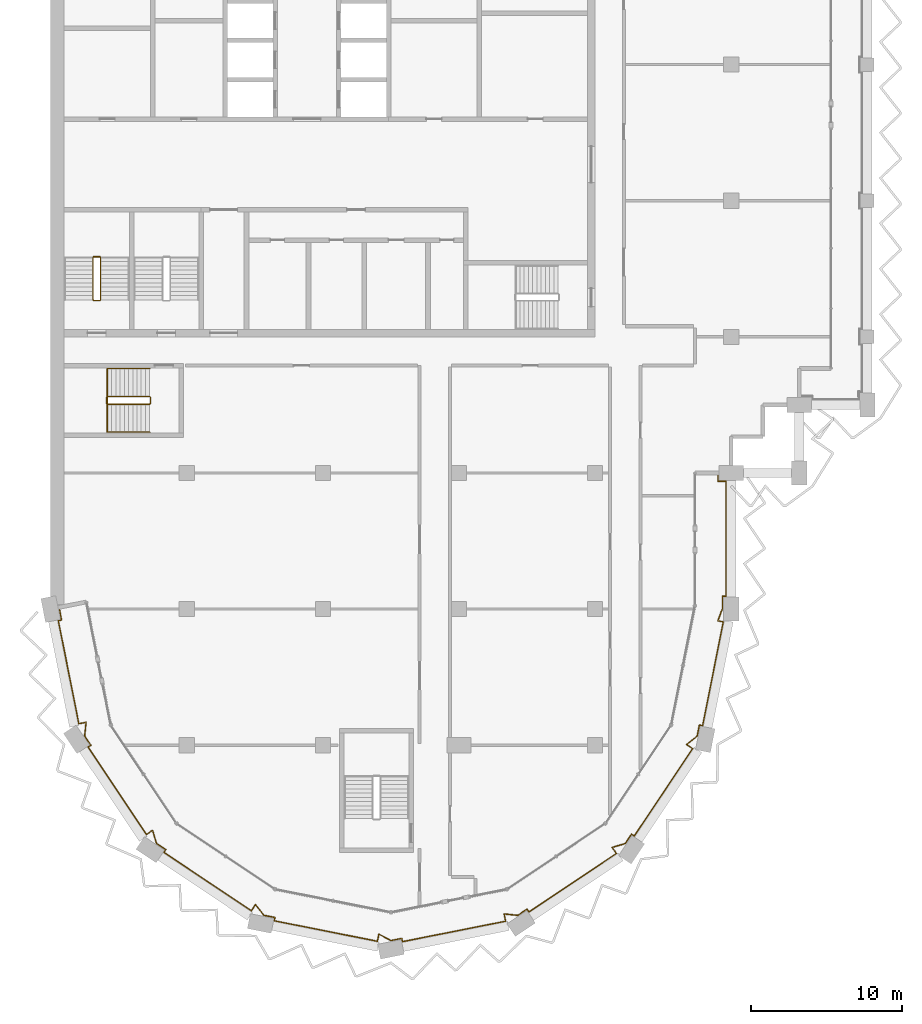
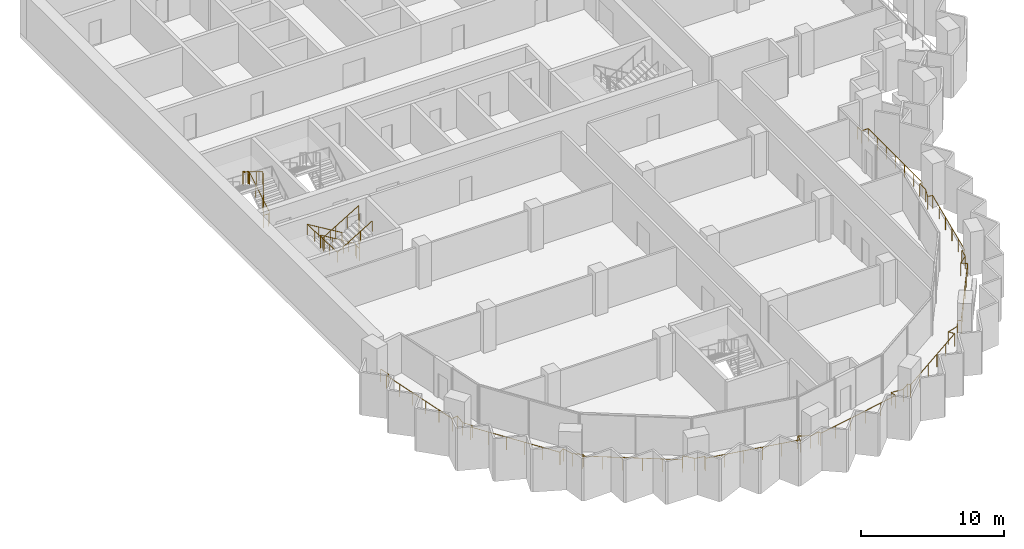
# One storey, part 14 of 16: 4 railings.
"""IFC4 building model written with IfcOpenShell, lengths in metres."""

from ifc_helpers import new_model, si_unit, direction, frame, origin, origin_2d, place, context, subcontext, project, spatial, circle, extrude, material, type_object, element, save


model = new_model("IFC4")

# Units and contexts
model_context = context("Model", 3, precision=1e-05, world=origin(), true_north=direction((0.0, 1.0)))
body_context = subcontext(model_context, "Body", "Model", "MODEL_VIEW")
ifc_project = project(units=[si_unit("LENGTHUNIT", "METRE"), si_unit("AREAUNIT", "SQUARE_METRE"), si_unit("VOLUMEUNIT", "CUBIC_METRE"), si_unit("PLANEANGLEUNIT", "RADIAN"), si_unit("MASSUNIT", "GRAM", prefix="KILO")], contexts=[model_context])

# Site, building, storey
site_placement = place(None, origin())
site = spatial("IfcSite", under=ifc_project, at=site_placement, CompositionType="ELEMENT")
building_placement = place(site_placement, origin())
building = spatial("IfcBuilding", under=site, at=building_placement, Name="Hunhe Ridgeline Campus", CompositionType="ELEMENT")
storey_placement = place(building_placement, frame((0.0, 0.0, 239.199951171875)))
storey = spatial("IfcBuildingStorey", under=building, at=storey_placement, Name="L61", CompositionType="ELEMENT", Elevation=239.199951171875)

# Railings
ifc_material_1 = material(Name="Steel Q355", Category="steel")
railing_type_1 = type_object("IfcRailingType", Name="Loggia guard 1100 Steel Q355", PredefinedType="GUARDRAIL", material=ifc_material_1)
railing_1_placement = place(storey_placement, frame((0.55908203125, 45.111083984375, 0.0)))
element("IfcRailing", 1, at=railing_1_placement, inside=storey, type_object=railing_type_1, Name="Loggia guard 1", PredefinedType="GUARDRAIL", context=body_context, shape_type="SweptSolid", body=[
    extrude(circle(Radius=0.02392578125, at=origin_2d()), frame((0.0, 0.0, 1.076171875), z_axis=(0.195066328581, -0.980790052689, 0.0), x_axis=(0.980790052689, 0.195066328581, 0.0)), (0.0, 0.0, 1.0), 0.849853515625),
    extrude(circle(Radius=0.02392578125, at=origin_2d()), frame((0.165771484375, -0.83349609375, 1.076171875), z_axis=(-0.980750988442, -0.195262640233, 0.0), x_axis=(0.195262640233, -0.980750988442, 0.0)), (0.0, 0.0, 1.0), 0.219970703125),
    extrude(circle(Radius=0.02392578125, at=origin_2d()), frame((-0.050048828125, -0.87646484375, 1.076171875), z_axis=(0.1951025318, -0.980782851647, 0.0), x_axis=(0.980782851647, 0.1951025318, 0.0)), (0.0, 0.0, 1.0), 6.94873046875),
    extrude(circle(Radius=0.02392578125, at=origin_2d()), frame((1.3056640625, -7.691650390625, 1.076171875), z_axis=(0.980791706313, 0.195058014004, 0.0), x_axis=(-0.195058014004, 0.980791706313, 0.0)), (0.0, 0.0, 1.0), 0.488037109375),
    extrude(circle(Radius=0.02392578125, at=origin_2d()), frame((1.784423828125, -7.596435546875, 1.076171875), z_axis=(-0.103312201106, -0.994648977832, 0.0), x_axis=(0.994648977832, -0.103312201106, 0.0)), (0.0, 0.0, 1.0), 0.907470703125),
    extrude(circle(Radius=0.02392578125, at=origin_2d()), frame((1.690673828125, -8.4990234375, 1.076171875), z_axis=(0.555464783965, -0.831540061437, 0.0), x_axis=(0.831540061437, 0.555464783965, 0.0)), (0.0, 0.0, 1.0), 0.736572265625),
    extrude(circle(Radius=0.02392578125, at=origin_2d()), frame((2.099853515625, -9.111572265625, 1.076171875), z_axis=(-0.831708467209, -0.555212594933, 0.0), x_axis=(0.555212594933, -0.831708467209, 0.0)), (0.0, 0.0, 1.0), 0.219970703125),
    extrude(circle(Radius=0.02392578125, at=origin_2d()), frame((1.9169921875, -9.233642578125, 1.076171875), z_axis=(0.555559363791, -0.831476874786, 0.0), x_axis=(0.831476874786, 0.555559363791, 0.0)), (0.0, 0.0, 1.0), 6.948486328125),
    extrude(circle(Radius=0.02392578125, at=origin_2d()), frame((5.77734375, -15.01123046875, 1.076171875), z_axis=(0.831588140797, 0.555392801615, 0.0), x_axis=(-0.555392801615, 0.831588140797, 0.0)), (0.0, 0.0, 1.0), 0.488037109375),
    extrude(circle(Radius=0.02392578125, at=origin_2d()), frame((6.18310546875, -14.740234375, 1.076171875), z_axis=(0.285150626135, -0.958482717849, 0.0), x_axis=(0.958482717849, 0.285150626135, 0.0)), (0.0, 0.0, 1.0), 0.907470703125),
    extrude(circle(Radius=0.02392578125, at=origin_2d()), frame((6.44189453125, -15.610107421875, 1.076171875), z_axis=(0.831540061437, -0.555464783965, 0.0), x_axis=(0.555464783965, 0.831540061437, 0.0)), (0.0, 0.0, 1.0), 0.736572265625),
    extrude(circle(Radius=0.02392578125, at=origin_2d()), frame((7.054443359375, -16.019287109375, 1.076171875), z_axis=(-0.555980009223, -0.831195662491, 0.0), x_axis=(0.831195662491, -0.555980009223, 0.0)), (0.0, 0.0, 1.0), 0.219970703125),
    extrude(circle(Radius=0.02392578125, at=origin_2d()), frame((6.93212890625, -16.2021484375, 1.076171875), z_axis=(0.831460644532, -0.555583654003, 0.0), x_axis=(0.555583654003, 0.831460644532, 0.0)), (0.0, 0.0, 1.0), 6.94873046875),
    extrude(circle(Radius=0.02392578125, at=origin_2d()), frame((12.709716796875, -20.062744140625, 1.076171875), z_axis=(0.555507638283, 0.831511433361, 0.0), x_axis=(-0.831511433361, 0.555507638283, 0.0)), (0.0, 0.0, 1.0), 0.48828125),
    extrude(circle(Radius=0.02392578125, at=origin_2d()), frame((12.98095703125, -19.65673828125, 1.076171875), z_axis=(0.630288754525, -0.776360796227, 0.0), x_axis=(0.776360796227, 0.630288754525, 0.0)), (0.0, 0.0, 1.0), 0.907470703125),
    extrude(circle(Radius=0.02392578125, at=origin_2d()), frame((13.552978515625, -20.361328125, 1.076171875), z_axis=(0.980758742397, -0.19522369019, 0.0), x_axis=(0.19522369019, 0.980758742397, 0.0)), (0.0, 0.0, 1.0), 0.736572265625),
    extrude(circle(Radius=0.02392578125, at=origin_2d()), frame((14.275390625, -20.505126953125, 1.076171875), z_axis=(-0.195262640233, -0.980750988442, 0.0), x_axis=(0.980750988442, -0.195262640233, 0.0)), (0.0, 0.0, 1.0), 0.219970703125),
    extrude(circle(Radius=0.02392578125, at=origin_2d()), frame((14.232421875, -20.720947265625, 1.076171875), z_axis=(0.980789574233, -0.195068734234, 0.0), x_axis=(0.195068734234, 0.980789574233, 0.0)), (0.0, 0.0, 1.0), 6.94873046875),
    extrude(circle(Radius=0.02392578125, at=origin_2d()), frame((21.047607421875, -22.076416015625, 1.076171875), z_axis=(0.195153744134, 0.980772662828, 0.0), x_axis=(-0.980772662828, 0.195153744134, 0.0)), (0.0, 0.0, 1.0), 0.48779296875),
    extrude(circle(Radius=0.02392578125, at=origin_2d()), frame((21.142822265625, -21.597900390625, 1.076171875), z_axis=(0.879371752487, -0.476135821934, 0.0), x_axis=(0.476135821934, 0.879371752487, 0.0)), (0.0, 0.0, 1.0), 0.907470703125),
    extrude(circle(Radius=0.02392578125, at=origin_2d()), frame((21.94091796875, -22.030029296875, 1.076171875), z_axis=(0.980758742397, 0.19522369019, 0.0), x_axis=(-0.19522369019, 0.980758742397, 0.0)), (0.0, 0.0, 1.0), 0.736572265625),
    extrude(circle(Radius=0.02392578125, at=origin_2d()), frame((22.663330078125, -21.88623046875, 1.076171875), z_axis=(0.195262640233, -0.980750988442, 0.0), x_axis=(0.980750988442, 0.195262640233, 0.0)), (0.0, 0.0, 1.0), 0.219970703125),
    extrude(circle(Radius=0.02392578125, at=origin_2d()), frame((22.706298828125, -22.10205078125, 1.076171875), z_axis=(0.980782851647, 0.1951025318, 0.0), x_axis=(-0.1951025318, 0.980782851647, 0.0)), (0.0, 0.0, 1.0), 6.94873046875),
    extrude(circle(Radius=0.02392578125, at=origin_2d()), frame((29.521484375, -20.746337890625, 1.076171875), z_axis=(-0.195058014004, 0.980791706313, 0.0), x_axis=(-0.980791706313, -0.195058014004, 0.0)), (0.0, 0.0, 1.0), 0.488037109375),
    extrude(circle(Radius=0.02392578125, at=origin_2d()), frame((29.42626953125, -20.267578125, 1.076171875), z_axis=(0.994648977832, -0.103312201106, 0.0), x_axis=(0.103312201106, 0.994648977832, 0.0)), (0.0, 0.0, 1.0), 0.907470703125),
    extrude(circle(Radius=0.02392578125, at=origin_2d()), frame((30.328857421875, -20.361328125, 1.076171875), z_axis=(0.831540061437, 0.555464783965, 0.0), x_axis=(-0.555464783965, 0.831540061437, 0.0)), (0.0, 0.0, 1.0), 0.736572265625),
    extrude(circle(Radius=0.02392578125, at=origin_2d()), frame((30.94140625, -19.9521484375, 1.076171875), z_axis=(0.555212594933, -0.831708467209, 0.0), x_axis=(0.831708467209, 0.555212594933, 0.0)), (0.0, 0.0, 1.0), 0.219970703125),
    extrude(circle(Radius=0.02392578125, at=origin_2d()), frame((31.0634765625, -20.135009765625, 1.076171875), z_axis=(0.831476874786, 0.555559363791, 0.0), x_axis=(-0.555559363791, 0.831476874786, 0.0)), (0.0, 0.0, 1.0), 6.948486328125),
    extrude(circle(Radius=0.02392578125, at=origin_2d()), frame((36.841064453125, -16.274658203125, 1.076171875), z_axis=(-0.555392801615, 0.831588140797, 0.0), x_axis=(-0.831588140797, -0.555392801615, 0.0)), (0.0, 0.0, 1.0), 0.488037109375),
    extrude(circle(Radius=0.02392578125, at=origin_2d()), frame((36.570068359375, -15.868896484375, 1.076171875), z_axis=(0.958482717849, 0.285150626135, 0.0), x_axis=(-0.285150626135, 0.958482717849, 0.0)), (0.0, 0.0, 1.0), 0.907470703125),
    extrude(circle(Radius=0.02392578125, at=origin_2d()), frame((37.43994140625, -15.610107421875, 1.076171875), z_axis=(0.555464783965, 0.831540061437, 0.0), x_axis=(-0.831540061437, 0.555464783965, 0.0)), (0.0, 0.0, 1.0), 0.736572265625),
    extrude(circle(Radius=0.02392578125, at=origin_2d()), frame((37.84912109375, -14.99755859375, 1.076171875), z_axis=(0.831195662491, -0.555980009223, 0.0), x_axis=(0.555980009223, 0.831195662491, 0.0)), (0.0, 0.0, 1.0), 0.219970703125),
    extrude(circle(Radius=0.02392578125, at=origin_2d()), frame((38.031982421875, -15.119873046875, 1.076171875), z_axis=(0.555583654003, 0.831460644532, 0.0), x_axis=(-0.831460644532, 0.555583654003, 0.0)), (0.0, 0.0, 1.0), 6.94873046875),
    extrude(circle(Radius=0.02392578125, at=origin_2d()), frame((41.892578125, -9.34228515625, 1.076171875), z_axis=(-0.831511433361, 0.555507638283, 0.0), x_axis=(-0.555507638283, -0.831511433361, 0.0)), (0.0, 0.0, 1.0), 0.48828125),
    extrude(circle(Radius=0.02392578125, at=origin_2d()), frame((41.486572265625, -9.071044921875, 1.076171875), z_axis=(0.776360796227, 0.630288754525, 0.0), x_axis=(-0.630288754525, 0.776360796227, 0.0)), (0.0, 0.0, 1.0), 0.907470703125),
    extrude(circle(Radius=0.02392578125, at=origin_2d()), frame((42.191162109375, -8.4990234375, 1.076171875), z_axis=(0.19522369019, 0.980758742397, 0.0), x_axis=(-0.980758742397, 0.19522369019, 0.0)), (0.0, 0.0, 1.0), 0.736572265625),
    extrude(circle(Radius=0.02392578125, at=origin_2d()), frame((42.3349609375, -7.776611328125, 1.076171875), z_axis=(0.980750988442, -0.195262640233, 0.0), x_axis=(0.195262640233, 0.980750988442, 0.0)), (0.0, 0.0, 1.0), 0.219970703125),
    extrude(circle(Radius=0.02392578125, at=origin_2d()), frame((42.55078125, -7.819580078125, 1.076171875), z_axis=(0.195082678264, 0.980786800809, 0.0), x_axis=(-0.980786800809, 0.195082678264, 0.0)), (0.0, 0.0, 1.0), 6.9970703125),
    extrude(circle(Radius=0.02392578125, at=origin_2d()), frame((43.915771484375, -0.95703125, 1.076171875), z_axis=(-0.980759647752, 0.195219141842, 0.0), x_axis=(-0.195219141842, -0.980759647752, 0.0)), (0.0, 0.0, 1.0), 0.366455078125),
    extrude(circle(Radius=0.02392578125, at=origin_2d()), frame((43.556396484375, -0.885498046875, 1.076171875), z_axis=(0.354074070723, 0.935217382453, 0.0), x_axis=(-0.935217382453, 0.354074070723, 0.0)), (0.0, 0.0, 1.0), 0.88818359375),
    extrude(circle(Radius=0.02392578125, at=origin_2d()), frame((43.870849609375, -0.054931640625, 1.076171875), z_axis=(0.0, 1.0, 0.0), x_axis=(-1.0, 0.0, 0.0)), (0.0, 0.0, 1.0), 0.7939453125),
    extrude(circle(Radius=0.02392578125, at=origin_2d()), frame((43.870849609375, 0.739013671875, 1.076171875), z_axis=(1.0, 0.0, 0.0), x_axis=(0.0, 1.0, 0.0)), (0.0, 0.0, 1.0), 0.219970703125),
    extrude(circle(Radius=0.02392578125, at=origin_2d()), frame((44.0908203125, 0.739013671875, 1.076171875), z_axis=(0.0, 1.0, 0.0), x_axis=(-1.0, 0.0, 0.0)), (0.0, 0.0, 1.0), 7.599853515625),
    extrude(circle(Radius=0.02392578125, at=origin_2d()), frame((44.0908203125, 8.3388671875, 1.076171875), z_axis=(-1.0, 0.0, 0.0), x_axis=(0.0, -1.0, 0.0)), (0.0, 0.0, 1.0), 0.52001953125),
    extrude(circle(Radius=0.02392578125, at=origin_2d()), frame((43.57080078125, 8.3388671875, 1.076171875), z_axis=(0.0, 1.0, 0.0), x_axis=(-1.0, 0.0, 0.0)), (0.0, 0.0, 1.0), 0.550048828125),
    extrude(circle(Radius=0.02099609375, at=origin_2d()), origin(), (0.0, 0.0, 1.0), 1.052001953125),
    extrude(circle(Radius=0.02099609375, at=origin_2d()), frame((0.165771484375, -0.83349609375, 0.0)), (0.0, 0.0, 1.0), 1.052001953125),
    extrude(circle(Radius=0.02099609375, at=origin_2d()), frame((-0.050048828125, -0.87646484375, 0.0)), (0.0, 0.0, 1.0), 1.052001953125),
    extrude(circle(Radius=0.02099609375, at=origin_2d()), frame((0.22119140625, -2.239501953125, 0.0)), (0.0, 0.0, 1.0), 1.052001953125),
    extrude(circle(Radius=0.02099609375, at=origin_2d()), frame((0.4921875, -3.6025390625, 0.0)), (0.0, 0.0, 1.0), 1.052001953125),
    extrude(circle(Radius=0.02099609375, at=origin_2d()), frame((0.763427734375, -4.965576171875, 0.0)), (0.0, 0.0, 1.0), 1.052001953125),
    extrude(circle(Radius=0.02099609375, at=origin_2d()), frame((1.034423828125, -6.32861328125, 0.0)), (0.0, 0.0, 1.0), 1.052001953125),
    extrude(circle(Radius=0.02099609375, at=origin_2d()), frame((1.3056640625, -7.691650390625, 0.0)), (0.0, 0.0, 1.0), 1.052001953125),
    extrude(circle(Radius=0.02099609375, at=origin_2d()), frame((1.784423828125, -7.596435546875, 0.0)), (0.0, 0.0, 1.0), 1.052001953125),
    extrude(circle(Radius=0.02099609375, at=origin_2d()), frame((1.690673828125, -8.4990234375, 0.0)), (0.0, 0.0, 1.0), 1.052001953125),
    extrude(circle(Radius=0.02099609375, at=origin_2d()), frame((2.099853515625, -9.111572265625, 0.0)), (0.0, 0.0, 1.0), 1.052001953125),
    extrude(circle(Radius=0.02099609375, at=origin_2d()), frame((1.9169921875, -9.233642578125, 0.0)), (0.0, 0.0, 1.0), 1.052001953125),
    extrude(circle(Radius=0.02099609375, at=origin_2d()), frame((2.68896484375, -10.38916015625, 0.0)), (0.0, 0.0, 1.0), 1.052001953125),
    extrude(circle(Radius=0.02099609375, at=origin_2d()), frame((3.461181640625, -11.544677734375, 0.0)), (0.0, 0.0, 1.0), 1.052001953125),
    extrude(circle(Radius=0.02099609375, at=origin_2d()), frame((4.233154296875, -12.7001953125, 0.0)), (0.0, 0.0, 1.0), 1.052001953125),
    extrude(circle(Radius=0.02099609375, at=origin_2d()), frame((5.00537109375, -13.855712890625, 0.0)), (0.0, 0.0, 1.0), 1.052001953125),
    extrude(circle(Radius=0.02099609375, at=origin_2d()), frame((5.77734375, -15.01123046875, 0.0)), (0.0, 0.0, 1.0), 1.052001953125),
    extrude(circle(Radius=0.02099609375, at=origin_2d()), frame((6.18310546875, -14.740234375, 0.0)), (0.0, 0.0, 1.0), 1.052001953125),
    extrude(circle(Radius=0.02099609375, at=origin_2d()), frame((6.44189453125, -15.610107421875, 0.0)), (0.0, 0.0, 1.0), 1.052001953125),
    extrude(circle(Radius=0.02099609375, at=origin_2d()), frame((7.054443359375, -16.019287109375, 0.0)), (0.0, 0.0, 1.0), 1.052001953125),
    extrude(circle(Radius=0.02099609375, at=origin_2d()), frame((6.93212890625, -16.2021484375, 0.0)), (0.0, 0.0, 1.0), 1.052001953125),
    extrude(circle(Radius=0.02099609375, at=origin_2d()), frame((8.087646484375, -16.974365234375, 0.0)), (0.0, 0.0, 1.0), 1.052001953125),
    extrude(circle(Radius=0.02099609375, at=origin_2d()), frame((9.2431640625, -17.746337890625, 0.0)), (0.0, 0.0, 1.0), 1.052001953125),
    extrude(circle(Radius=0.02099609375, at=origin_2d()), frame((10.398681640625, -18.5185546875, 0.0)), (0.0, 0.0, 1.0), 1.052001953125),
    extrude(circle(Radius=0.02099609375, at=origin_2d()), frame((11.55419921875, -19.29052734375, 0.0)), (0.0, 0.0, 1.0), 1.052001953125),
    extrude(circle(Radius=0.02099609375, at=origin_2d()), frame((12.709716796875, -20.062744140625, 0.0)), (0.0, 0.0, 1.0), 1.052001953125),
    extrude(circle(Radius=0.02099609375, at=origin_2d()), frame((12.98095703125, -19.65673828125, 0.0)), (0.0, 0.0, 1.0), 1.052001953125),
    extrude(circle(Radius=0.02099609375, at=origin_2d()), frame((13.552978515625, -20.361328125, 0.0)), (0.0, 0.0, 1.0), 1.052001953125),
    extrude(circle(Radius=0.02099609375, at=origin_2d()), frame((14.275390625, -20.505126953125, 0.0)), (0.0, 0.0, 1.0), 1.052001953125),
    extrude(circle(Radius=0.02099609375, at=origin_2d()), frame((14.232421875, -20.720947265625, 0.0)), (0.0, 0.0, 1.0), 1.052001953125),
    extrude(circle(Radius=0.02099609375, at=origin_2d()), frame((15.595458984375, -20.991943359375, 0.0)), (0.0, 0.0, 1.0), 1.052001953125),
    extrude(circle(Radius=0.02099609375, at=origin_2d()), frame((16.95849609375, -21.26318359375, 0.0)), (0.0, 0.0, 1.0), 1.052001953125),
    extrude(circle(Radius=0.02099609375, at=origin_2d()), frame((18.321533203125, -21.5341796875, 0.0)), (0.0, 0.0, 1.0), 1.052001953125),
    extrude(circle(Radius=0.02099609375, at=origin_2d()), frame((19.6845703125, -21.805419921875, 0.0)), (0.0, 0.0, 1.0), 1.052001953125),
    extrude(circle(Radius=0.02099609375, at=origin_2d()), frame((21.047607421875, -22.076416015625, 0.0)), (0.0, 0.0, 1.0), 1.052001953125),
    extrude(circle(Radius=0.02099609375, at=origin_2d()), frame((21.142822265625, -21.597900390625, 0.0)), (0.0, 0.0, 1.0), 1.052001953125),
    extrude(circle(Radius=0.02099609375, at=origin_2d()), frame((21.94091796875, -22.030029296875, 0.0)), (0.0, 0.0, 1.0), 1.052001953125),
    extrude(circle(Radius=0.02099609375, at=origin_2d()), frame((22.663330078125, -21.88623046875, 0.0)), (0.0, 0.0, 1.0), 1.052001953125),
    extrude(circle(Radius=0.02099609375, at=origin_2d()), frame((22.706298828125, -22.10205078125, 0.0)), (0.0, 0.0, 1.0), 1.052001953125),
    extrude(circle(Radius=0.02099609375, at=origin_2d()), frame((24.0693359375, -21.830810546875, 0.0)), (0.0, 0.0, 1.0), 1.052001953125),
    extrude(circle(Radius=0.02099609375, at=origin_2d()), frame((25.432373046875, -21.559814453125, 0.0)), (0.0, 0.0, 1.0), 1.052001953125),
    extrude(circle(Radius=0.02099609375, at=origin_2d()), frame((26.79541015625, -21.28857421875, 0.0)), (0.0, 0.0, 1.0), 1.052001953125),
    extrude(circle(Radius=0.02099609375, at=origin_2d()), frame((28.158447265625, -21.017578125, 0.0)), (0.0, 0.0, 1.0), 1.052001953125),
    extrude(circle(Radius=0.02099609375, at=origin_2d()), frame((29.521484375, -20.746337890625, 0.0)), (0.0, 0.0, 1.0), 1.052001953125),
    extrude(circle(Radius=0.02099609375, at=origin_2d()), frame((29.42626953125, -20.267578125, 0.0)), (0.0, 0.0, 1.0), 1.052001953125),
    extrude(circle(Radius=0.02099609375, at=origin_2d()), frame((30.328857421875, -20.361328125, 0.0)), (0.0, 0.0, 1.0), 1.052001953125),
    extrude(circle(Radius=0.02099609375, at=origin_2d()), frame((30.94140625, -19.9521484375, 0.0)), (0.0, 0.0, 1.0), 1.052001953125),
    extrude(circle(Radius=0.02099609375, at=origin_2d()), frame((31.0634765625, -20.135009765625, 0.0)), (0.0, 0.0, 1.0), 1.052001953125),
    extrude(circle(Radius=0.02099609375, at=origin_2d()), frame((32.218994140625, -19.363037109375, 0.0)), (0.0, 0.0, 1.0), 1.052001953125),
    extrude(circle(Radius=0.02099609375, at=origin_2d()), frame((33.37451171875, -18.5908203125, 0.0)), (0.0, 0.0, 1.0), 1.052001953125),
    extrude(circle(Radius=0.02099609375, at=origin_2d()), frame((34.530029296875, -17.81884765625, 0.0)), (0.0, 0.0, 1.0), 1.052001953125),
    extrude(circle(Radius=0.02099609375, at=origin_2d()), frame((35.685546875, -17.046630859375, 0.0)), (0.0, 0.0, 1.0), 1.052001953125),
    extrude(circle(Radius=0.02099609375, at=origin_2d()), frame((36.841064453125, -16.274658203125, 0.0)), (0.0, 0.0, 1.0), 1.052001953125),
    extrude(circle(Radius=0.02099609375, at=origin_2d()), frame((36.570068359375, -15.868896484375, 0.0)), (0.0, 0.0, 1.0), 1.052001953125),
    extrude(circle(Radius=0.02099609375, at=origin_2d()), frame((37.43994140625, -15.610107421875, 0.0)), (0.0, 0.0, 1.0), 1.052001953125),
    extrude(circle(Radius=0.02099609375, at=origin_2d()), frame((37.84912109375, -14.99755859375, 0.0)), (0.0, 0.0, 1.0), 1.052001953125),
    extrude(circle(Radius=0.02099609375, at=origin_2d()), frame((38.031982421875, -15.119873046875, 0.0)), (0.0, 0.0, 1.0), 1.052001953125),
    extrude(circle(Radius=0.02099609375, at=origin_2d()), frame((38.80419921875, -13.96435546875, 0.0)), (0.0, 0.0, 1.0), 1.052001953125),
    extrude(circle(Radius=0.02099609375, at=origin_2d()), frame((39.576171875, -12.808837890625, 0.0)), (0.0, 0.0, 1.0), 1.052001953125),
    extrude(circle(Radius=0.02099609375, at=origin_2d()), frame((40.348388671875, -11.6533203125, 0.0)), (0.0, 0.0, 1.0), 1.052001953125),
    extrude(circle(Radius=0.02099609375, at=origin_2d()), frame((41.120361328125, -10.497802734375, 0.0)), (0.0, 0.0, 1.0), 1.052001953125),
    extrude(circle(Radius=0.02099609375, at=origin_2d()), frame((41.892578125, -9.34228515625, 0.0)), (0.0, 0.0, 1.0), 1.052001953125),
    extrude(circle(Radius=0.02099609375, at=origin_2d()), frame((41.486572265625, -9.071044921875, 0.0)), (0.0, 0.0, 1.0), 1.052001953125),
    extrude(circle(Radius=0.02099609375, at=origin_2d()), frame((42.191162109375, -8.4990234375, 0.0)), (0.0, 0.0, 1.0), 1.052001953125),
    extrude(circle(Radius=0.02099609375, at=origin_2d()), frame((42.3349609375, -7.776611328125, 0.0)), (0.0, 0.0, 1.0), 1.052001953125),
    extrude(circle(Radius=0.02099609375, at=origin_2d()), frame((42.55078125, -7.819580078125, 0.0)), (0.0, 0.0, 1.0), 1.052001953125),
    extrude(circle(Radius=0.02099609375, at=origin_2d()), frame((42.82373046875, -6.447021484375, 0.0)), (0.0, 0.0, 1.0), 1.052001953125),
    extrude(circle(Radius=0.02099609375, at=origin_2d()), frame((43.0966796875, -5.074462890625, 0.0)), (0.0, 0.0, 1.0), 1.052001953125),
    extrude(circle(Radius=0.02099609375, at=origin_2d()), frame((43.369873046875, -3.7021484375, 0.0)), (0.0, 0.0, 1.0), 1.052001953125),
    extrude(circle(Radius=0.02099609375, at=origin_2d()), frame((43.642822265625, -2.32958984375, 0.0)), (0.0, 0.0, 1.0), 1.052001953125),
    extrude(circle(Radius=0.02099609375, at=origin_2d()), frame((43.915771484375, -0.95703125, 0.0)), (0.0, 0.0, 1.0), 1.052001953125),
    extrude(circle(Radius=0.02099609375, at=origin_2d()), frame((43.556396484375, -0.885498046875, 0.0)), (0.0, 0.0, 1.0), 1.052001953125),
    extrude(circle(Radius=0.02099609375, at=origin_2d()), frame((43.870849609375, -0.054931640625, 0.0)), (0.0, 0.0, 1.0), 1.052001953125),
    extrude(circle(Radius=0.02099609375, at=origin_2d()), frame((43.870849609375, 0.739013671875, 0.0)), (0.0, 0.0, 1.0), 1.052001953125),
    extrude(circle(Radius=0.02099609375, at=origin_2d()), frame((44.0908203125, 0.739013671875, 0.0)), (0.0, 0.0, 1.0), 1.052001953125),
    extrude(circle(Radius=0.02099609375, at=origin_2d()), frame((44.0908203125, 2.005615234375, 0.0)), (0.0, 0.0, 1.0), 1.052001953125),
    extrude(circle(Radius=0.02099609375, at=origin_2d()), frame((44.0908203125, 3.272216796875, 0.0)), (0.0, 0.0, 1.0), 1.052001953125),
    extrude(circle(Radius=0.02099609375, at=origin_2d()), frame((44.0908203125, 4.5390625, 0.0)), (0.0, 0.0, 1.0), 1.052001953125),
    extrude(circle(Radius=0.02099609375, at=origin_2d()), frame((44.0908203125, 5.8056640625, 0.0)), (0.0, 0.0, 1.0), 1.052001953125),
    extrude(circle(Radius=0.02099609375, at=origin_2d()), frame((44.0908203125, 7.072265625, 0.0)), (0.0, 0.0, 1.0), 1.052001953125),
    extrude(circle(Radius=0.02099609375, at=origin_2d()), frame((44.0908203125, 8.3388671875, 0.0)), (0.0, 0.0, 1.0), 1.052001953125),
    extrude(circle(Radius=0.02099609375, at=origin_2d()), frame((43.57080078125, 8.3388671875, 0.0)), (0.0, 0.0, 1.0), 1.052001953125),
    extrude(circle(Radius=0.02099609375, at=origin_2d()), frame((43.57080078125, 8.888916015625, 0.0)), (0.0, 0.0, 1.0), 1.052001953125),
])
ifc_material_2 = material(Name="Stainless steel balustrade", Category="steel")
railing_type_2 = type_object("IfcRailingType", Name="Stair guard 1100 stainless", PredefinedType="GUARDRAIL", material=ifc_material_2)
railing_2_placement = place(storey_placement, frame((3.300048828125, 65.449951171875, 0.168212890625)))
element("IfcRailing", 2, at=railing_2_placement, inside=storey, type_object=railing_type_2, Name="L61 stair S3 guard", PredefinedType="GUARDRAIL", context=body_context, shape_type="SweptSolid", body=[
    extrude(circle(Radius=0.02392578125, at=origin_2d()), frame((0.0, 0.0, 1.076171875), z_axis=(0.0, 0.857242210791, 0.514913383045), x_axis=(-1.0, 0.0, 0.0)), (0.0, 0.0, 1.0), 3.266357421875),
    extrude(circle(Radius=0.02392578125, at=origin_2d()), frame((0.0, 2.800048828125, 2.7578125), z_axis=(-0.707106781187, 0.707106781187, 0.0), x_axis=(-0.707106781187, -0.707106781187, 0.0)), (0.0, 0.0, 1.0), 0.07080078125),
    extrude(circle(Radius=0.02392578125, at=origin_2d()), frame((-0.050048828125, 2.85009765625, 2.7578125), z_axis=(-1.0, 0.0, 0.0), x_axis=(0.0, -1.0, 0.0)), (0.0, 0.0, 1.0), 0.39990234375),
    extrude(circle(Radius=0.02392578125, at=origin_2d()), frame((-0.449951171875, 2.85009765625, 2.7578125), z_axis=(-0.274243871929, -0.274243871929, 0.92172696468), x_axis=(0.707106781187, -0.707106781187, 0.0)), (0.0, 0.0, 1.0), 0.1826171875),
    extrude(circle(Radius=0.02392578125, at=origin_2d()), frame((-0.5, 2.800048828125, 2.92626953125), z_axis=(0.0, -0.857275202839, 0.514858452973), x_axis=(1.0, 0.0, 0.0)), (0.0, 0.0, 1.0), 3.26611328125),
    extrude(circle(Radius=0.02392578125, at=origin_2d()), frame((-0.5, 0.0, 4.60791015625), z_axis=(0.013524414389, -0.013524414389, -0.999817073484), x_axis=(0.707106781187, 0.707106781187, 0.0)), (0.0, 0.0, 1.0), 3.70068359375),
    extrude(circle(Radius=0.02392578125, at=origin_2d()), frame((-0.449951171875, -0.050048828125, 0.90771484375), z_axis=(1.0, 0.0, 0.0), x_axis=(0.0, 1.0, 0.0)), (0.0, 0.0, 1.0), 0.39990234375),
    extrude(circle(Radius=0.02099609375, at=origin_2d()), origin(), (0.0, 0.0, 1.0), 1.052001953125),
    extrude(circle(Radius=0.02099609375, at=origin_2d()), frame((0.0, 0.933349609375, 0.560546875)), (0.0, 0.0, 1.0), 1.052001953125),
    extrude(circle(Radius=0.02099609375, at=origin_2d()), frame((0.0, 1.86669921875, 1.121337890625)), (0.0, 0.0, 1.0), 1.052001953125),
    extrude(circle(Radius=0.02099609375, at=origin_2d()), frame((0.0, 2.800048828125, 1.681884765625)), (0.0, 0.0, 1.0), 1.052001953125),
    extrude(circle(Radius=0.02099609375, at=origin_2d()), frame((-0.050048828125, 2.85009765625, 1.681884765625)), (0.0, 0.0, 1.0), 1.052001953125),
    extrude(circle(Radius=0.02099609375, at=origin_2d()), frame((-0.449951171875, 2.85009765625, 1.681884765625)), (0.0, 0.0, 1.0), 1.052001953125),
    extrude(circle(Radius=0.02099609375, at=origin_2d()), frame((-0.5, 2.800048828125, 1.85009765625)), (0.0, 0.0, 1.0), 1.052001953125),
    extrude(circle(Radius=0.02099609375, at=origin_2d()), frame((-0.5, 1.86669921875, 2.41064453125)), (0.0, 0.0, 1.0), 1.052001953125),
    extrude(circle(Radius=0.02099609375, at=origin_2d()), frame((-0.5, 0.933349609375, 2.97119140625)), (0.0, 0.0, 1.0), 1.052001953125),
    extrude(circle(Radius=0.02099609375, at=origin_2d()), frame((-0.5, 0.0, 3.53173828125)), (0.0, 0.0, 1.0), 1.052001953125),
    extrude(circle(Radius=0.02099609375, at=origin_2d()), frame((-0.487548828125, -0.012451171875, 2.606689453125)), (0.0, 0.0, 1.0), 1.052001953125),
    extrude(circle(Radius=0.02099609375, at=origin_2d()), frame((-0.47509765625, -0.02490234375, 1.681640625)), (0.0, 0.0, 1.0), 1.052001953125),
    extrude(circle(Radius=0.02099609375, at=origin_2d()), frame((-0.46240234375, -0.03759765625, 0.7568359375)), (0.0, 0.0, 1.0), 1.052001953125),
    extrude(circle(Radius=0.02099609375, at=origin_2d()), frame((-0.449951171875, -0.050048828125, -0.168212890625)), (0.0, 0.0, 1.0), 1.052001953125),
    extrude(circle(Radius=0.02099609375, at=origin_2d()), frame((-0.050048828125, -0.050048828125, -0.168212890625)), (0.0, 0.0, 1.0), 1.052001953125),
])
railing_3_placement = place(storey_placement, frame((6.550048828125, 59.050048828125, 0.168212890625)))
element("IfcRailing", 3, at=railing_3_placement, inside=storey, type_object=railing_type_2, Name="L61 stair W2 guard", PredefinedType="GUARDRAIL", context=body_context, shape_type="SweptSolid", body=[
    extrude(circle(Radius=0.02392578125, at=origin_2d()), frame((0.0, 0.0, 1.076171875), z_axis=(-0.857242210791, 0.0, 0.514913383045), x_axis=(0.0, -1.0, 0.0)), (0.0, 0.0, 1.0), 3.266357421875),
    extrude(circle(Radius=0.02392578125, at=origin_2d()), frame((-2.800048828125, 0.0, 2.7578125), z_axis=(-0.707106781187, -0.707106781187, 0.0), x_axis=(0.707106781187, -0.707106781187, 0.0)), (0.0, 0.0, 1.0), 0.07080078125),
    extrude(circle(Radius=0.02392578125, at=origin_2d()), frame((-2.85009765625, -0.050048828125, 2.7578125), z_axis=(0.0, -1.0, 0.0), x_axis=(1.0, 0.0, 0.0)), (0.0, 0.0, 1.0), 0.39990234375),
    extrude(circle(Radius=0.02392578125, at=origin_2d()), frame((-2.85009765625, -0.449951171875, 2.7578125), z_axis=(0.274243871929, -0.274243871929, 0.92172696468), x_axis=(0.707106781187, 0.707106781187, 0.0)), (0.0, 0.0, 1.0), 0.1826171875),
    extrude(circle(Radius=0.02392578125, at=origin_2d()), frame((-2.800048828125, -0.5, 2.92626953125), z_axis=(0.857275202839, 0.0, 0.514858452973), x_axis=(0.0, 1.0, 0.0)), (0.0, 0.0, 1.0), 3.26611328125),
    extrude(circle(Radius=0.02392578125, at=origin_2d()), frame((0.0, -0.5, 4.60791015625), z_axis=(0.013524414389, 0.013524414389, -0.999817073484), x_axis=(-0.707106781187, 0.707106781187, 0.0)), (0.0, 0.0, 1.0), 3.70068359375),
    extrude(circle(Radius=0.02392578125, at=origin_2d()), frame((0.050048828125, -0.449951171875, 0.90771484375), z_axis=(0.0, 1.0, 0.0), x_axis=(-1.0, 0.0, 0.0)), (0.0, 0.0, 1.0), 0.39990234375),
    extrude(circle(Radius=0.02099609375, at=origin_2d()), origin(), (0.0, 0.0, 1.0), 1.052001953125),
    extrude(circle(Radius=0.02099609375, at=origin_2d()), frame((-0.933349609375, 0.0, 0.560546875)), (0.0, 0.0, 1.0), 1.052001953125),
    extrude(circle(Radius=0.02099609375, at=origin_2d()), frame((-1.86669921875, 0.0, 1.121337890625)), (0.0, 0.0, 1.0), 1.052001953125),
    extrude(circle(Radius=0.02099609375, at=origin_2d()), frame((-2.800048828125, 0.0, 1.681884765625)), (0.0, 0.0, 1.0), 1.052001953125),
    extrude(circle(Radius=0.02099609375, at=origin_2d()), frame((-2.85009765625, -0.050048828125, 1.681884765625)), (0.0, 0.0, 1.0), 1.052001953125),
    extrude(circle(Radius=0.02099609375, at=origin_2d()), frame((-2.85009765625, -0.449951171875, 1.681884765625)), (0.0, 0.0, 1.0), 1.052001953125),
    extrude(circle(Radius=0.02099609375, at=origin_2d()), frame((-2.800048828125, -0.5, 1.85009765625)), (0.0, 0.0, 1.0), 1.052001953125),
    extrude(circle(Radius=0.02099609375, at=origin_2d()), frame((-1.86669921875, -0.5, 2.41064453125)), (0.0, 0.0, 1.0), 1.052001953125),
    extrude(circle(Radius=0.02099609375, at=origin_2d()), frame((-0.933349609375, -0.5, 2.97119140625)), (0.0, 0.0, 1.0), 1.052001953125),
    extrude(circle(Radius=0.02099609375, at=origin_2d()), frame((0.0, -0.5, 3.53173828125)), (0.0, 0.0, 1.0), 1.052001953125),
    extrude(circle(Radius=0.02099609375, at=origin_2d()), frame((0.012451171875, -0.487548828125, 2.606689453125)), (0.0, 0.0, 1.0), 1.052001953125),
    extrude(circle(Radius=0.02099609375, at=origin_2d()), frame((0.02490234375, -0.47509765625, 1.681640625)), (0.0, 0.0, 1.0), 1.052001953125),
    extrude(circle(Radius=0.02099609375, at=origin_2d()), frame((0.03759765625, -0.46240234375, 0.7568359375)), (0.0, 0.0, 1.0), 1.052001953125),
    extrude(circle(Radius=0.02099609375, at=origin_2d()), frame((0.050048828125, -0.449951171875, -0.168212890625)), (0.0, 0.0, 1.0), 1.052001953125),
    extrude(circle(Radius=0.02099609375, at=origin_2d()), frame((0.050048828125, -0.050048828125, -0.168212890625)), (0.0, 0.0, 1.0), 1.052001953125),
])
ifc_material_3 = material(Name="Stainless steel handrail", Category="steel")
railing_type_3 = type_object("IfcRailingType", Name="Stair handrail 900 stainless", PredefinedType="HANDRAIL", material=ifc_material_3)
railing_4_placement = place(storey_placement, frame((6.550048828125, 60.89990234375, 0.168212890625)))
element("IfcRailing", 4, at=railing_4_placement, inside=storey, type_object=railing_type_3, Name="L61 stair W2 handrail", PredefinedType="HANDRAIL", context=body_context, shape_type="SweptSolid", body=[
    extrude(circle(Radius=0.02392578125, at=origin_2d()), frame((0.0, 0.0, 0.8759765625), z_axis=(-0.857242210791, 0.0, 0.514913383045), x_axis=(0.0, -1.0, 0.0)), (0.0, 0.0, 1.0), 3.266357421875),
    extrude(circle(Radius=0.02392578125, at=origin_2d()), frame((-2.800048828125, 0.0, 2.5576171875), z_axis=(0.0, -0.999198916169, 0.040019069537), x_axis=(1.0, 0.0, 0.0)), (0.0, 0.0, 1.0), 4.203369140625),
    extrude(circle(Radius=0.02392578125, at=origin_2d()), frame((-2.800048828125, -4.199951171875, 2.72607421875), z_axis=(0.857275202839, 0.0, 0.514858452973), x_axis=(0.0, 1.0, 0.0)), (0.0, 0.0, 1.0), 3.26611328125),
    extrude(circle(Radius=0.02099609375, at=origin_2d()), origin(), (0.0, 0.0, 1.0), 0.851806640625),
    extrude(circle(Radius=0.02099609375, at=origin_2d()), frame((-0.933349609375, 0.0, 0.560546875)), (0.0, 0.0, 1.0), 0.851806640625),
    extrude(circle(Radius=0.02099609375, at=origin_2d()), frame((-1.86669921875, 0.0, 1.121337890625)), (0.0, 0.0, 1.0), 0.851806640625),
    extrude(circle(Radius=0.02099609375, at=origin_2d()), frame((-2.800048828125, 0.0, 1.681884765625)), (0.0, 0.0, 1.0), 0.851806640625),
    extrude(circle(Radius=0.02099609375, at=origin_2d()), frame((-2.800048828125, -1.050048828125, 1.723876953125)), (0.0, 0.0, 1.0), 0.851806640625),
    extrude(circle(Radius=0.02099609375, at=origin_2d()), frame((-2.800048828125, -2.10009765625, 1.76611328125)), (0.0, 0.0, 1.0), 0.851806640625),
    extrude(circle(Radius=0.02099609375, at=origin_2d()), frame((-2.800048828125, -3.14990234375, 1.80810546875)), (0.0, 0.0, 1.0), 0.851806640625),
    extrude(circle(Radius=0.02099609375, at=origin_2d()), frame((-2.800048828125, -4.199951171875, 1.85009765625)), (0.0, 0.0, 1.0), 0.851806640625),
    extrude(circle(Radius=0.02099609375, at=origin_2d()), frame((-1.86669921875, -4.199951171875, 2.41064453125)), (0.0, 0.0, 1.0), 0.851806640625),
    extrude(circle(Radius=0.02099609375, at=origin_2d()), frame((-0.933349609375, -4.199951171875, 2.97119140625)), (0.0, 0.0, 1.0), 0.851806640625),
    extrude(circle(Radius=0.02099609375, at=origin_2d()), frame((0.0, -4.199951171875, 3.53173828125)), (0.0, 0.0, 1.0), 0.851806640625),
])

save(model, "model.ifc")
